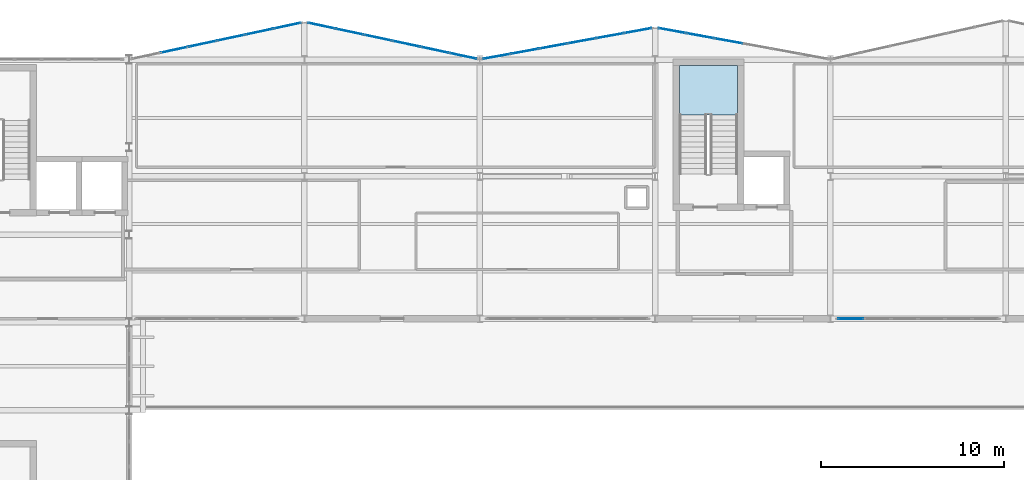
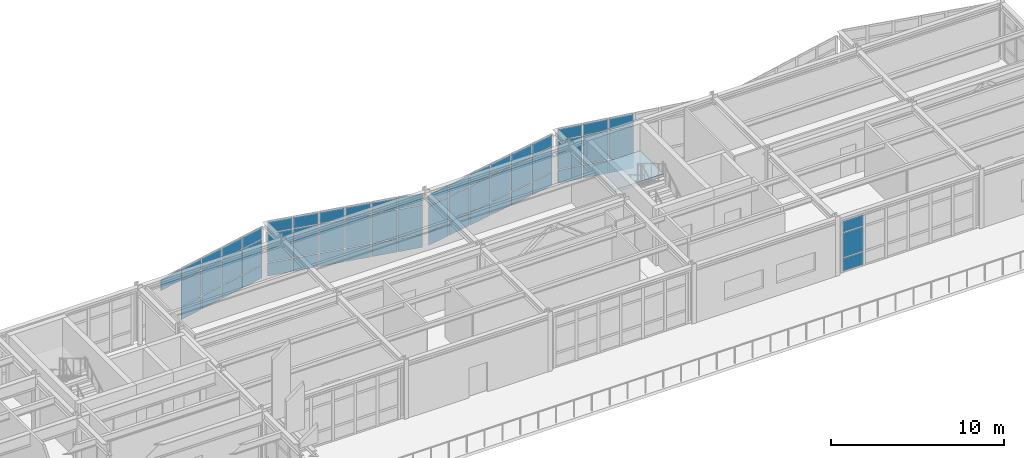
# One storey, part 35 of 47: 61 plates, 1 slab, 6 elements without a shape of their own.
"""IFC4 building model written with IfcOpenShell, lengths in metres."""

import ifcopenshell
import ifcopenshell.guid

model = None  # the IFC model being written
_history = None  # IfcOwnerHistory: only IFC2X3 demands one
_inside = {}  # id of a spatial element -> (the spatial element, [elements in it])
_under = {}  # id of a project, library or spatial element -> (it, [spatial elements below it])
_declared = {}  # id of a project -> (the project, [libraries it declares])
_typed = {}  # id of a type object -> (the type object, [elements of that type])
_made_of = {}  # id of a material, layer set ... -> (it, [elements and type objects made of it])


def new_model(schema):
    """Start an empty IFC model of exactly this schema.

    Asked for "IFC4X3", IfcOpenShell would pick the latest addendum, in which some entities
    have other attributes; the version numbers below select the first issue.
    IFC2X3 requires an IfcOwnerHistory on every rooted entity: one is made here for all.
    """
    global model, _history
    if schema == "IFC4X3":
        model = ifcopenshell.file(schema_version=(4, 3, 0, 0))
    else:
        model = ifcopenshell.file(schema=schema)
    _inside.clear()
    _under.clear()
    _declared.clear()
    _typed.clear()
    _made_of.clear()
    _history = None
    if model.schema == "IFC2X3":
        org = make("IfcOrganization", Name="unknown")
        user = make(
            "IfcPersonAndOrganization",
            ThePerson=make("IfcPerson", FamilyName="unknown"),
            TheOrganization=org,
        )
        app = make(
            "IfcApplication",
            ApplicationDeveloper=org,
            Version="unknown",
            ApplicationFullName="unknown",
            ApplicationIdentifier="unknown",
        )
        _history = make(
            "IfcOwnerHistory",
            OwningUser=user,
            OwningApplication=app,
            ChangeAction="ADDED",
            CreationDate=0,
        )
    return model


def make(cls, **values):
    """One entity of the class cls with the attributes given. An attribute that is None is left unset."""
    return model.create_entity(
        cls, **{name: value for name, value in values.items() if value is not None}
    )


def rooted(cls, **values):
    """An entity with a GlobalId (a new one), such as an element, a storey or a relation."""
    return make(cls, GlobalId=ifcopenshell.guid.new(), OwnerHistory=_history, **values)


def si_unit(unit_type, name, prefix=None):
    """IfcSIUnit, for example si_unit("LENGTHUNIT", "METRE", prefix="MILLI")."""
    return make("IfcSIUnit", UnitType=unit_type, Prefix=prefix, Name=name)


def assignment(units):
    """IfcUnitAssignment: the units of a project."""
    return None if units is None else make("IfcUnitAssignment", Units=units)


def point(xyz):
    """IfcCartesianPoint."""
    return None if xyz is None else make("IfcCartesianPoint", Coordinates=xyz)


def direction(xyz):
    """IfcDirection."""
    return None if xyz is None else make("IfcDirection", DirectionRatios=xyz)


def frame(location, z_axis=None, x_axis=None):
    """IfcAxis2Placement3D, a coordinate frame: its origin and axes. An axis left out is left unset."""
    return make(
        "IfcAxis2Placement3D",
        Location=point(location),
        Axis=direction(z_axis),
        RefDirection=direction(x_axis),
    )


def frame_2d(location, x_axis=None):
    """IfcAxis2Placement2D, a coordinate frame in the plane: its origin and x axis."""
    return make(
        "IfcAxis2Placement2D", Location=point(location), RefDirection=direction(x_axis)
    )


def origin():
    """The frame at (0, 0, 0) with its axes left unset."""
    return frame((0.0, 0.0, 0.0))


def origin_2d():
    """The frame at (0, 0) in the plane with its x axis left unset."""
    return frame_2d((0.0, 0.0))


def place(relative_to, where):
    """IfcLocalPlacement: puts the frame where relative to a parent placement (None: the world)."""
    return make(
        "IfcLocalPlacement", PlacementRelTo=relative_to, RelativePlacement=where
    )


def context(
    kind, dimensions, precision=None, world=None, true_north=None, identifier=None
):
    """IfcGeometricRepresentationContext, for example the 3D "Model" context."""
    return make(
        "IfcGeometricRepresentationContext",
        ContextIdentifier=identifier,
        ContextType=kind,
        CoordinateSpaceDimension=dimensions,
        Precision=precision,
        WorldCoordinateSystem=world,
        TrueNorth=true_north,
    )


def subcontext(parent, identifier, kind, view, scale=None):
    """IfcGeometricRepresentationSubContext, for example "Body" below "Model"."""
    return make(
        "IfcGeometricRepresentationSubContext",
        ContextIdentifier=identifier,
        ContextType=kind,
        ParentContext=parent,
        TargetScale=scale,
        TargetView=view,
    )


def project(units=None, contexts=None):
    """IfcProject with its units and contexts."""
    return rooted(
        "IfcProject",
        Name="project",
        RepresentationContexts=contexts,
        UnitsInContext=assignment(units),
    )


def spatial(cls, under=None, at=None, **own):
    """A site, building, storey or space (cls), placed at a placement, below another one or the project."""
    s = rooted(cls, ObjectPlacement=at, **own)
    if under is not None:
        _under.setdefault(under.id(), (under, []))[1].append(s)
    return s


def polyline(points):
    """IfcPolyline through the points."""
    return make("IfcPolyline", Points=[point(p) for p in points])


def profile(cls, at=None, kind="AREA", **sizes):
    """A parametric profile (cls). Its sizes go by their IFC names, for example OverallWidth=200.0."""
    return make(cls, ProfileType=kind, Position=at, **sizes)


def rectangle(**sizes):
    """IfcRectangleProfileDef."""
    return profile("IfcRectangleProfileDef", **sizes)


def outline(outer, holes=None, kind="AREA"):
    """IfcArbitraryClosedProfileDef: a profile drawn as a closed curve; with holes, ...WithVoids."""
    if holes is None:
        return make("IfcArbitraryClosedProfileDef", ProfileType=kind, OuterCurve=outer)
    return make(
        "IfcArbitraryProfileDefWithVoids",
        ProfileType=kind,
        OuterCurve=outer,
        InnerCurves=holes,
    )


def extrude(swept, where, along, depth):
    """IfcExtrudedAreaSolid: the profile swept, set in the frame where, extruded along a direction by depth."""
    return make(
        "IfcExtrudedAreaSolid",
        SweptArea=swept,
        Position=where,
        ExtrudedDirection=direction(along),
        Depth=depth,
    )


def shape(context_of_items, identifier, shape_type, items):
    """IfcShapeRepresentation: the items that make up one representation, for example the "Body"."""
    return make(
        "IfcShapeRepresentation",
        ContextOfItems=context_of_items,
        RepresentationIdentifier=identifier,
        RepresentationType=shape_type,
        Items=items,
    )


def material(Name=None, Category=None):
    """IfcMaterial."""
    return make("IfcMaterial", Name=Name, Category=Category)


def layer(
    of_material, thickness, ventilated=None, Name=None, Category=None, Priority=None
):
    """IfcMaterialLayer: one layer of a wall or slab, of a material (None: an air gap)."""
    return make(
        "IfcMaterialLayer",
        Material=of_material,
        LayerThickness=thickness,
        IsVentilated=ventilated,
        Name=Name,
        Category=Category,
        Priority=Priority,
    )


def layer_set(layers, Name=None):
    """IfcMaterialLayerSet."""
    return make("IfcMaterialLayerSet", MaterialLayers=layers, LayerSetName=Name)


def made_of(thing, what):
    """Note that an element or type object is made of a material, layer set ...; save() writes the relation."""
    if what is not None:
        _made_of.setdefault(what.id(), (what, []))[1].append(thing)
    return thing


def type_object(cls, material=None, **own):
    """A type object (cls), such as IfcWallType, which elements share."""
    return made_of(rooted(cls, **own), material)


def element(
    cls,
    number,
    at=None,
    inside=None,
    cuts=None,
    type_object=None,
    material=None,
    context=None,
    identifier="Body",
    shape_type=None,
    held_by="IfcProductDefinitionShape",
    body=None,
    shapes=None,
    **own,
):
    """One element of the class cls, such as IfcWall. Its Tag is "e" and its number.

    at: its placement. inside: the storey or other place that contains it. cuts: it is an
    opening in that element (IfcRelVoidsElement). A single representation is given by context,
    identifier, shape_type and body (its items); several are given by shapes. held_by: the class
    of the entity that holds the representations. save() writes the other relations.
    """
    e = rooted(cls, Tag="e%d" % number, ObjectPlacement=at, **own)
    if body is not None:
        shapes = [shape(context, identifier, shape_type, body)]
    if shapes is not None:
        e.Representation = make(held_by, Representations=shapes)
    if inside is not None:
        _inside.setdefault(inside.id(), (inside, []))[1].append(e)
    if cuts is not None:
        rooted(
            "IfcRelVoidsElement", RelatingBuildingElement=cuts, RelatedOpeningElement=e
        )
    if type_object is not None:
        _typed.setdefault(type_object.id(), (type_object, []))[1].append(e)
    return made_of(e, material)


def aggregate(whole, parts):
    """IfcRelAggregates: a whole, such as a stair, and the parts it consists of."""
    return rooted("IfcRelAggregates", RelatingObject=whole, RelatedObjects=parts)


def save(model, path):
    """Write the relations noted so far, then the file.

    IfcRelAggregates (storeys below a building ...), IfcRelContainedInSpatialStructure (elements
    in a storey), IfcRelDefinesByType, IfcRelAssociatesMaterial and IfcRelDeclares: one each for
    every whole, place, type object, material and project.
    """
    for whole, parts in _under.values():
        aggregate(whole, parts)
    for where, things in _inside.values():
        rooted(
            "IfcRelContainedInSpatialStructure",
            RelatedElements=things,
            RelatingStructure=where,
        )
    for kind, things in _typed.values():
        rooted("IfcRelDefinesByType", RelatedObjects=things, RelatingType=kind)
    for what, things in _made_of.values():
        rooted("IfcRelAssociatesMaterial", RelatedObjects=things, RelatingMaterial=what)
    for by, libraries in _declared.values():
        rooted("IfcRelDeclares", RelatingContext=by, RelatedDefinitions=libraries)
    model.write(path)


model = new_model("IFC4")

# Units and contexts
model_context = context("Model", 3, precision=1e-05, world=origin(), true_north=direction((0.0, 1.0)))
body_context = subcontext(model_context, "Body", "Model", "MODEL_VIEW")
ifc_project = project(units=[si_unit("LENGTHUNIT", "METRE"), si_unit("AREAUNIT", "SQUARE_METRE"), si_unit("VOLUMEUNIT", "CUBIC_METRE"), si_unit("PLANEANGLEUNIT", "RADIAN"), si_unit("MASSUNIT", "GRAM", prefix="KILO")], contexts=[model_context])

# Site, building, storey
site_placement = place(None, origin())
site = spatial("IfcSite", under=ifc_project, at=site_placement, CompositionType="ELEMENT")
building_placement = place(site_placement, origin())
building = spatial("IfcBuilding", under=site, at=building_placement, Name="Nordkorset Police Headquarters", CompositionType="ELEMENT")
storey_placement = place(building_placement, frame((0.0, 0.0, 22.050048828125)))
storey = spatial("IfcBuildingStorey", under=building, at=storey_placement, Name="L05", CompositionType="ELEMENT", Elevation=22.050048828125)

# Curtain wall, plates
ifc_material_1 = material(Name="Aluminium alloy AW-6060", Category="aluminium")
ifc_layer_1 = layer(ifc_material_1, 0.179931640625, Name="Aluminium alloy AW-6060")
ifc_layer_set_1 = layer_set([ifc_layer_1], Name="Aluminium alloy AW-6060")
curtain_wall_type_1 = type_object("IfcCurtainWallType", Name="CW_Unit_954x367", PredefinedType="USERDEFINED", material=ifc_layer_set_1)
curtain_wall_1_placement = place(storey_placement, origin())
curtain_wall_1 = element("IfcCurtainWall", 1, at=curtain_wall_1_placement, inside=storey, type_object=curtain_wall_type_1, Name="Unitised Curtain Wall L05 V2N-0", ObjectType="UNITISED CURTAIN WALL", PredefinedType="USERDEFINED")
ifc_material_2 = material(Name="Low-iron triple glazing", Category="glass")
ifc_layer_2 = layer(ifc_material_2, 0.035888671875, Name="Low-iron triple glazing")
ifc_layer_set_2 = layer_set([ifc_layer_2], Name="Low-iron triple glazing")
plate_type = type_object("IfcPlateType", Name="CW_Panel_TripleGlazing_36", PredefinedType="CURTAIN_PANEL", material=ifc_layer_set_2)
plate_1_placement = place(storey_placement, frame((31.2685546875, 117.3271484375, 2.8525390625), z_axis=(0.0, 0.0, 1.0), x_axis=(0.977951416289, 0.208832534289, 0.0)))
plate_1 = element("IfcPlate", 2, at=plate_1_placement, type_object=plate_type, Name="CW-71 panel 2.3", PredefinedType="CURTAIN_PANEL", context=body_context, shape_type="SweptSolid", body=[
    extrude(rectangle(XDim=1.5244140625, YDim=0.035888671875, at=origin_2d()), origin(), (0.0, 0.0, 1.0), 0.75244140625),
])
plate_2_placement = place(storey_placement, frame((32.82275390625, 117.658935546875, 0.06494140625), z_axis=(0.0, 0.0, 1.0), x_axis=(0.977951416289, 0.208832534289, 0.0)))
plate_2 = element("IfcPlate", 3, at=plate_2_placement, type_object=plate_type, Name="CW-71 panel 3.1", PredefinedType="CURTAIN_PANEL", context=body_context, shape_type="SweptSolid", body=[
    extrude(rectangle(XDim=1.5244140625, YDim=0.035888671875, at=origin_2d()), origin(), (0.0, 0.0, 1.0), 0.902587890625),
])
plate_3_placement = place(storey_placement, frame((32.82275390625, 117.658935546875, 1.032470703125), z_axis=(0.0, 0.0, 1.0), x_axis=(0.977951416289, 0.208832534289, 0.0)))
plate_3 = element("IfcPlate", 4, at=plate_3_placement, type_object=plate_type, Name="CW-71 panel 3.2", PredefinedType="CURTAIN_PANEL", context=body_context, shape_type="SweptSolid", body=[
    extrude(rectangle(XDim=1.5244140625, YDim=0.035888671875, at=origin_2d()), origin(), (0.0, 0.0, 1.0), 1.7548828125),
])
plate_4_placement = place(storey_placement, frame((32.82275390625, 117.658935546875, 2.8525390625), z_axis=(0.0, 0.0, 1.0), x_axis=(0.977951416289, 0.208832534289, 0.0)))
plate_4 = element("IfcPlate", 5, at=plate_4_placement, type_object=plate_type, Name="CW-71 panel 3.3", PredefinedType="CURTAIN_PANEL", context=body_context, shape_type="SweptSolid", body=[
    extrude(rectangle(XDim=1.5244140625, YDim=0.035888671875, at=origin_2d()), origin(), (0.0, 0.0, 1.0), 0.75244140625),
])
plate_5_placement = place(storey_placement, frame((34.377197265625, 117.990966796875, 0.06494140625), z_axis=(0.0, 0.0, 1.0), x_axis=(0.977951416289, 0.208832534289, 0.0)))
plate_5 = element("IfcPlate", 6, at=plate_5_placement, type_object=plate_type, Name="CW-71 panel 4.1", PredefinedType="CURTAIN_PANEL", context=body_context, shape_type="SweptSolid", body=[
    extrude(rectangle(XDim=1.5244140625, YDim=0.035888671875, at=origin_2d()), origin(), (0.0, 0.0, 1.0), 0.902587890625),
])
plate_6_placement = place(storey_placement, frame((34.377197265625, 117.990966796875, 1.032470703125), z_axis=(0.0, 0.0, 1.0), x_axis=(0.977951416289, 0.208832534289, 0.0)))
plate_6 = element("IfcPlate", 7, at=plate_6_placement, type_object=plate_type, Name="CW-71 panel 4.2", PredefinedType="CURTAIN_PANEL", context=body_context, shape_type="SweptSolid", body=[
    extrude(rectangle(XDim=1.5244140625, YDim=0.035888671875, at=origin_2d()), origin(), (0.0, 0.0, 1.0), 1.7548828125),
])
plate_7_placement = place(storey_placement, frame((34.377197265625, 117.990966796875, 2.8525390625), z_axis=(0.0, 0.0, 1.0), x_axis=(0.977951416289, 0.208832534289, 0.0)))
plate_7 = element("IfcPlate", 8, at=plate_7_placement, type_object=plate_type, Name="CW-71 panel 4.3", PredefinedType="CURTAIN_PANEL", context=body_context, shape_type="SweptSolid", body=[
    extrude(rectangle(XDim=1.5244140625, YDim=0.035888671875, at=origin_2d()), origin(), (0.0, 0.0, 1.0), 0.75244140625),
])
plate_8_placement = place(storey_placement, frame((35.931640625, 118.322998046875, 0.06494140625), z_axis=(0.0, 0.0, 1.0), x_axis=(0.977951416289, 0.208832534289, 0.0)))
plate_8 = element("IfcPlate", 9, at=plate_8_placement, type_object=plate_type, Name="CW-71 panel 5.1", PredefinedType="CURTAIN_PANEL", context=body_context, shape_type="SweptSolid", body=[
    extrude(rectangle(XDim=1.5244140625, YDim=0.035888671875, at=origin_2d()), origin(), (0.0, 0.0, 1.0), 0.902587890625),
])
plate_9_placement = place(storey_placement, frame((35.931640625, 118.322998046875, 1.032470703125), z_axis=(0.0, 0.0, 1.0), x_axis=(0.977951416289, 0.208832534289, 0.0)))
plate_9 = element("IfcPlate", 10, at=plate_9_placement, type_object=plate_type, Name="CW-71 panel 5.2", PredefinedType="CURTAIN_PANEL", context=body_context, shape_type="SweptSolid", body=[
    extrude(rectangle(XDim=1.5244140625, YDim=0.035888671875, at=origin_2d()), origin(), (0.0, 0.0, 1.0), 1.7548828125),
])
plate_10_placement = place(storey_placement, frame((35.931640625, 118.322998046875, 2.8525390625), z_axis=(0.0, 0.0, 1.0), x_axis=(0.977951416289, 0.208832534289, 0.0)))
plate_10 = element("IfcPlate", 11, at=plate_10_placement, type_object=plate_type, Name="CW-71 panel 5.3", PredefinedType="CURTAIN_PANEL", context=body_context, shape_type="SweptSolid", body=[
    extrude(rectangle(XDim=1.5244140625, YDim=0.035888671875, at=origin_2d()), origin(), (0.0, 0.0, 1.0), 0.75244140625),
])
plate_11_placement = place(storey_placement, frame((37.469970703125, 118.6513671875, 0.06494140625), z_axis=(0.0, 0.0, 1.0), x_axis=(0.977951416289, 0.208832534289, 0.0)))
plate_11 = element("IfcPlate", 12, at=plate_11_placement, type_object=plate_type, Name="CW-71 panel 6.1", PredefinedType="CURTAIN_PANEL", context=body_context, shape_type="SweptSolid", body=[
    extrude(rectangle(XDim=1.491943359375, YDim=0.035888671875, at=origin_2d()), origin(), (0.0, 0.0, 1.0), 0.902587890625),
])
plate_12_placement = place(storey_placement, frame((37.469970703125, 118.6513671875, 1.032470703125), z_axis=(0.0, 0.0, 1.0), x_axis=(0.977951416289, 0.208832534289, 0.0)))
plate_12 = element("IfcPlate", 13, at=plate_12_placement, type_object=plate_type, Name="CW-71 panel 6.2", PredefinedType="CURTAIN_PANEL", context=body_context, shape_type="SweptSolid", body=[
    extrude(rectangle(XDim=1.491943359375, YDim=0.035888671875, at=origin_2d()), origin(), (0.0, 0.0, 1.0), 1.7548828125),
])
plate_13_placement = place(storey_placement, frame((37.469970703125, 118.6513671875, 2.8525390625), z_axis=(0.0, 0.0, 1.0), x_axis=(0.977951416289, 0.208832534289, 0.0)))
plate_13 = element("IfcPlate", 14, at=plate_13_placement, type_object=plate_type, Name="CW-71 panel 6.3", PredefinedType="CURTAIN_PANEL", context=body_context, shape_type="SweptSolid", body=[
    extrude(rectangle(XDim=1.491943359375, YDim=0.035888671875, at=origin_2d()), origin(), (0.0, 0.0, 1.0), 0.75244140625),
])
aggregate(curtain_wall_1, [plate_1, plate_2, plate_3, plate_4, plate_5, plate_6, plate_7, plate_8, plate_9, plate_10, plate_11, plate_12, plate_13])

ifc_material_3 = material(Name="Aluminium alloy AW-6060", Category="aluminium")
ifc_layer_3 = layer(ifc_material_3, 0.179931640625, Name="Aluminium alloy AW-6060")
ifc_layer_set_3 = layer_set([ifc_layer_3], Name="Aluminium alloy AW-6060")
curtain_wall_type_2 = type_object("IfcCurtainWallType", Name="CW_Unit_954x392", PredefinedType="USERDEFINED", material=ifc_layer_set_3)
curtain_wall_2_placement = place(storey_placement, origin())
curtain_wall_2 = element("IfcCurtainWall", 15, at=curtain_wall_2_placement, inside=storey, type_object=curtain_wall_type_2, Name="Unitised Curtain Wall L05 V2N-1", ObjectType="UNITISED CURTAIN WALL", PredefinedType="USERDEFINED")
plate_14_placement = place(storey_placement, frame((39.330078125, 118.6513671875, 0.06494140625), z_axis=(0.0, 0.0, 1.0), x_axis=(0.977951416289, -0.208832534289, 0.0)))
plate_14 = element("IfcPlate", 16, at=plate_14_placement, type_object=plate_type, Name="CW-20 panel 1.1", PredefinedType="CURTAIN_PANEL", context=body_context, shape_type="SweptSolid", body=[
    extrude(rectangle(XDim=1.491943359375, YDim=0.035888671875, at=origin_2d()), origin(), (0.0, 0.0, 1.0), 0.902587890625),
])
plate_15_placement = place(storey_placement, frame((39.330078125, 118.6513671875, 1.032470703125), z_axis=(0.0, 0.0, 1.0), x_axis=(0.977951416289, -0.208832534289, 0.0)))
plate_15 = element("IfcPlate", 17, at=plate_15_placement, type_object=plate_type, Name="CW-20 panel 1.2", PredefinedType="CURTAIN_PANEL", context=body_context, shape_type="SweptSolid", body=[
    extrude(rectangle(XDim=1.491943359375, YDim=0.035888671875, at=origin_2d()), origin(), (0.0, 0.0, 1.0), 2.0048828125),
])
plate_16_placement = place(storey_placement, frame((39.330078125, 118.6513671875, 3.1025390625), z_axis=(0.0, 0.0, 1.0), x_axis=(0.977951416289, -0.208832534289, 0.0)))
plate_16 = element("IfcPlate", 18, at=plate_16_placement, type_object=plate_type, Name="CW-20 panel 1.3", PredefinedType="CURTAIN_PANEL", context=body_context, shape_type="SweptSolid", body=[
    extrude(rectangle(XDim=1.491943359375, YDim=0.035888671875, at=origin_2d()), origin(), (0.0, 0.0, 1.0), 0.75244140625),
])
plate_17_placement = place(storey_placement, frame((40.868408203125, 118.322998046875, 0.06494140625), z_axis=(0.0, 0.0, 1.0), x_axis=(0.977951416289, -0.208832534289, 0.0)))
plate_17 = element("IfcPlate", 19, at=plate_17_placement, type_object=plate_type, Name="CW-20 panel 2.1", PredefinedType="CURTAIN_PANEL", context=body_context, shape_type="SweptSolid", body=[
    extrude(rectangle(XDim=1.5244140625, YDim=0.035888671875, at=origin_2d()), origin(), (0.0, 0.0, 1.0), 0.902587890625),
])
plate_18_placement = place(storey_placement, frame((40.868408203125, 118.322998046875, 1.032470703125), z_axis=(0.0, 0.0, 1.0), x_axis=(0.977951416289, -0.208832534289, 0.0)))
plate_18 = element("IfcPlate", 20, at=plate_18_placement, type_object=plate_type, Name="CW-20 panel 2.2", PredefinedType="CURTAIN_PANEL", context=body_context, shape_type="SweptSolid", body=[
    extrude(rectangle(XDim=1.5244140625, YDim=0.035888671875, at=origin_2d()), origin(), (0.0, 0.0, 1.0), 2.0048828125),
])
plate_19_placement = place(storey_placement, frame((40.868408203125, 118.322998046875, 3.1025390625), z_axis=(0.0, 0.0, 1.0), x_axis=(0.977951416289, -0.208832534289, 0.0)))
plate_19 = element("IfcPlate", 21, at=plate_19_placement, type_object=plate_type, Name="CW-20 panel 2.3", PredefinedType="CURTAIN_PANEL", context=body_context, shape_type="SweptSolid", body=[
    extrude(rectangle(XDim=1.5244140625, YDim=0.035888671875, at=origin_2d()), origin(), (0.0, 0.0, 1.0), 0.75244140625),
])
plate_20_placement = place(storey_placement, frame((42.4228515625, 117.990966796875, 0.06494140625), z_axis=(0.0, 0.0, 1.0), x_axis=(0.977951416289, -0.208832534289, 0.0)))
plate_20 = element("IfcPlate", 22, at=plate_20_placement, type_object=plate_type, Name="CW-20 panel 3.1", PredefinedType="CURTAIN_PANEL", context=body_context, shape_type="SweptSolid", body=[
    extrude(rectangle(XDim=1.5244140625, YDim=0.035888671875, at=origin_2d()), origin(), (0.0, 0.0, 1.0), 0.902587890625),
])
plate_21_placement = place(storey_placement, frame((42.4228515625, 117.990966796875, 1.032470703125), z_axis=(0.0, 0.0, 1.0), x_axis=(0.977951416289, -0.208832534289, 0.0)))
plate_21 = element("IfcPlate", 23, at=plate_21_placement, type_object=plate_type, Name="CW-20 panel 3.2", PredefinedType="CURTAIN_PANEL", context=body_context, shape_type="SweptSolid", body=[
    extrude(rectangle(XDim=1.5244140625, YDim=0.035888671875, at=origin_2d()), origin(), (0.0, 0.0, 1.0), 2.0048828125),
])
plate_22_placement = place(storey_placement, frame((42.4228515625, 117.990966796875, 3.1025390625), z_axis=(0.0, 0.0, 1.0), x_axis=(0.977951416289, -0.208832534289, 0.0)))
plate_22 = element("IfcPlate", 24, at=plate_22_placement, type_object=plate_type, Name="CW-20 panel 3.3", PredefinedType="CURTAIN_PANEL", context=body_context, shape_type="SweptSolid", body=[
    extrude(rectangle(XDim=1.5244140625, YDim=0.035888671875, at=origin_2d()), origin(), (0.0, 0.0, 1.0), 0.75244140625),
])
plate_23_placement = place(storey_placement, frame((43.977294921875, 117.658935546875, 0.06494140625), z_axis=(0.0, 0.0, 1.0), x_axis=(0.977951416289, -0.208832534289, 0.0)))
plate_23 = element("IfcPlate", 25, at=plate_23_placement, type_object=plate_type, Name="CW-20 panel 4.1", PredefinedType="CURTAIN_PANEL", context=body_context, shape_type="SweptSolid", body=[
    extrude(rectangle(XDim=1.5244140625, YDim=0.035888671875, at=origin_2d()), origin(), (0.0, 0.0, 1.0), 0.902587890625),
])
plate_24_placement = place(storey_placement, frame((43.977294921875, 117.658935546875, 1.032470703125), z_axis=(0.0, 0.0, 1.0), x_axis=(0.977951416289, -0.208832534289, 0.0)))
plate_24 = element("IfcPlate", 26, at=plate_24_placement, type_object=plate_type, Name="CW-20 panel 4.2", PredefinedType="CURTAIN_PANEL", context=body_context, shape_type="SweptSolid", body=[
    extrude(rectangle(XDim=1.5244140625, YDim=0.035888671875, at=origin_2d()), origin(), (0.0, 0.0, 1.0), 2.0048828125),
])
plate_25_placement = place(storey_placement, frame((43.977294921875, 117.658935546875, 3.1025390625), z_axis=(0.0, 0.0, 1.0), x_axis=(0.977951416289, -0.208832534289, 0.0)))
plate_25 = element("IfcPlate", 27, at=plate_25_placement, type_object=plate_type, Name="CW-20 panel 4.3", PredefinedType="CURTAIN_PANEL", context=body_context, shape_type="SweptSolid", body=[
    extrude(rectangle(XDim=1.5244140625, YDim=0.035888671875, at=origin_2d()), origin(), (0.0, 0.0, 1.0), 0.75244140625),
])
plate_26_placement = place(storey_placement, frame((45.531494140625, 117.3271484375, 0.06494140625), z_axis=(0.0, 0.0, 1.0), x_axis=(0.977951416289, -0.208832534289, 0.0)))
plate_26 = element("IfcPlate", 28, at=plate_26_placement, type_object=plate_type, Name="CW-20 panel 5.1", PredefinedType="CURTAIN_PANEL", context=body_context, shape_type="SweptSolid", body=[
    extrude(rectangle(XDim=1.5244140625, YDim=0.035888671875, at=origin_2d()), origin(), (0.0, 0.0, 1.0), 0.902587890625),
])
plate_27_placement = place(storey_placement, frame((45.531494140625, 117.3271484375, 1.032470703125), z_axis=(0.0, 0.0, 1.0), x_axis=(0.977951416289, -0.208832534289, 0.0)))
plate_27 = element("IfcPlate", 29, at=plate_27_placement, type_object=plate_type, Name="CW-20 panel 5.2", PredefinedType="CURTAIN_PANEL", context=body_context, shape_type="SweptSolid", body=[
    extrude(rectangle(XDim=1.5244140625, YDim=0.035888671875, at=origin_2d()), origin(), (0.0, 0.0, 1.0), 2.0048828125),
])
plate_28_placement = place(storey_placement, frame((45.531494140625, 117.3271484375, 3.1025390625), z_axis=(0.0, 0.0, 1.0), x_axis=(0.977951416289, -0.208832534289, 0.0)))
plate_28 = element("IfcPlate", 30, at=plate_28_placement, type_object=plate_type, Name="CW-20 panel 5.3", PredefinedType="CURTAIN_PANEL", context=body_context, shape_type="SweptSolid", body=[
    extrude(rectangle(XDim=1.5244140625, YDim=0.035888671875, at=origin_2d()), origin(), (0.0, 0.0, 1.0), 0.75244140625),
])
plate_29_placement = place(storey_placement, frame((47.070068359375, 116.99853515625, 0.06494140625), z_axis=(0.0, 0.0, 1.0), x_axis=(0.977951416289, -0.208832534289, 0.0)))
plate_29 = element("IfcPlate", 31, at=plate_29_placement, type_object=plate_type, Name="CW-20 panel 6.1", PredefinedType="CURTAIN_PANEL", context=body_context, shape_type="SweptSolid", body=[
    extrude(rectangle(XDim=1.491943359375, YDim=0.035888671875, at=origin_2d()), origin(), (0.0, 0.0, 1.0), 0.902587890625),
])
plate_30_placement = place(storey_placement, frame((47.070068359375, 116.99853515625, 1.032470703125), z_axis=(0.0, 0.0, 1.0), x_axis=(0.977951416289, -0.208832534289, 0.0)))
plate_30 = element("IfcPlate", 32, at=plate_30_placement, type_object=plate_type, Name="CW-20 panel 6.2", PredefinedType="CURTAIN_PANEL", context=body_context, shape_type="SweptSolid", body=[
    extrude(rectangle(XDim=1.491943359375, YDim=0.035888671875, at=origin_2d()), origin(), (0.0, 0.0, 1.0), 2.0048828125),
])
plate_31_placement = place(storey_placement, frame((47.070068359375, 116.99853515625, 3.1025390625), z_axis=(0.0, 0.0, 1.0), x_axis=(0.977951416289, -0.208832534289, 0.0)))
plate_31 = element("IfcPlate", 33, at=plate_31_placement, type_object=plate_type, Name="CW-20 panel 6.3", PredefinedType="CURTAIN_PANEL", context=body_context, shape_type="SweptSolid", body=[
    extrude(rectangle(XDim=1.491943359375, YDim=0.035888671875, at=origin_2d()), origin(), (0.0, 0.0, 1.0), 0.75244140625),
])
aggregate(curtain_wall_2, [plate_14, plate_15, plate_16, plate_17, plate_18, plate_19, plate_20, plate_21, plate_22, plate_23, plate_24, plate_25, plate_26, plate_27, plate_28, plate_29, plate_30, plate_31])

ifc_material_4 = material(Name="Aluminium alloy AW-6060", Category="aluminium")
ifc_layer_4 = layer(ifc_material_4, 0.179931640625, Name="Aluminium alloy AW-6060")
ifc_layer_set_4 = layer_set([ifc_layer_4], Name="Aluminium alloy AW-6060")
curtain_wall_type_3 = type_object("IfcCurtainWallType", Name="CW_Unit_948x367", PredefinedType="USERDEFINED", material=ifc_layer_set_4)
curtain_wall_3_placement = place(storey_placement, origin())
curtain_wall_3 = element("IfcCurtainWall", 34, at=curtain_wall_3_placement, inside=storey, type_object=curtain_wall_type_3, Name="Unitised Curtain Wall L05 V2N-2", ObjectType="UNITISED CURTAIN WALL", PredefinedType="USERDEFINED")
plate_32_placement = place(storey_placement, frame((48.9306640625, 116.9697265625, 0.06494140625), z_axis=(0.0, 0.0, 1.0), x_axis=(0.983787934979, 0.179335715876, 0.0)))
plate_32 = element("IfcPlate", 35, at=plate_32_placement, type_object=plate_type, Name="CW-02 panel 1.1", PredefinedType="CURTAIN_PANEL", context=body_context, shape_type="SweptSolid", body=[
    extrude(rectangle(XDim=1.482177734375, YDim=0.035888671875, at=origin_2d()), origin(), (0.0, 0.0, 1.0), 0.902587890625),
])
plate_33_placement = place(storey_placement, frame((48.9306640625, 116.9697265625, 1.032470703125), z_axis=(0.0, 0.0, 1.0), x_axis=(0.983787934979, 0.179335715876, 0.0)))
plate_33 = element("IfcPlate", 36, at=plate_33_placement, type_object=plate_type, Name="CW-02 panel 1.2", PredefinedType="CURTAIN_PANEL", context=body_context, shape_type="SweptSolid", body=[
    extrude(rectangle(XDim=1.482177734375, YDim=0.035888671875, at=origin_2d()), origin(), (0.0, 0.0, 1.0), 1.7548828125),
])
plate_34_placement = place(storey_placement, frame((48.9306640625, 116.9697265625, 2.8525390625), z_axis=(0.0, 0.0, 1.0), x_axis=(0.983787934979, 0.179335715876, 0.0)))
plate_34 = element("IfcPlate", 37, at=plate_34_placement, type_object=plate_type, Name="CW-02 panel 1.3", PredefinedType="CURTAIN_PANEL", context=body_context, shape_type="SweptSolid", body=[
    extrude(rectangle(XDim=1.482177734375, YDim=0.035888671875, at=origin_2d()), origin(), (0.0, 0.0, 1.0), 0.75244140625),
])
plate_35_placement = place(storey_placement, frame((50.46875, 117.25, 0.06494140625), z_axis=(0.0, 0.0, 1.0), x_axis=(0.983787934979, 0.179335715876, 0.0)))
plate_35 = element("IfcPlate", 38, at=plate_35_placement, type_object=plate_type, Name="CW-02 panel 2.1", PredefinedType="CURTAIN_PANEL", context=body_context, shape_type="SweptSolid", body=[
    extrude(rectangle(XDim=1.5146484375, YDim=0.035888671875, at=origin_2d()), origin(), (0.0, 0.0, 1.0), 0.902587890625),
])
plate_36_placement = place(storey_placement, frame((50.46875, 117.25, 1.032470703125), z_axis=(0.0, 0.0, 1.0), x_axis=(0.983787934979, 0.179335715876, 0.0)))
plate_36 = element("IfcPlate", 39, at=plate_36_placement, type_object=plate_type, Name="CW-02 panel 2.2", PredefinedType="CURTAIN_PANEL", context=body_context, shape_type="SweptSolid", body=[
    extrude(rectangle(XDim=1.5146484375, YDim=0.035888671875, at=origin_2d()), origin(), (0.0, 0.0, 1.0), 1.7548828125),
])
plate_37_placement = place(storey_placement, frame((50.46875, 117.25, 2.8525390625), z_axis=(0.0, 0.0, 1.0), x_axis=(0.983787934979, 0.179335715876, 0.0)))
plate_37 = element("IfcPlate", 40, at=plate_37_placement, type_object=plate_type, Name="CW-02 panel 2.3", PredefinedType="CURTAIN_PANEL", context=body_context, shape_type="SweptSolid", body=[
    extrude(rectangle(XDim=1.5146484375, YDim=0.035888671875, at=origin_2d()), origin(), (0.0, 0.0, 1.0), 0.75244140625),
])
plate_38_placement = place(storey_placement, frame((52.02294921875, 117.533447265625, 0.06494140625), z_axis=(0.0, 0.0, 1.0), x_axis=(0.983787934979, 0.179335715876, 0.0)))
plate_38 = element("IfcPlate", 41, at=plate_38_placement, type_object=plate_type, Name="CW-02 panel 3.1", PredefinedType="CURTAIN_PANEL", context=body_context, shape_type="SweptSolid", body=[
    extrude(rectangle(XDim=1.5146484375, YDim=0.035888671875, at=origin_2d()), origin(), (0.0, 0.0, 1.0), 0.902587890625),
])
plate_39_placement = place(storey_placement, frame((52.02294921875, 117.533447265625, 1.032470703125), z_axis=(0.0, 0.0, 1.0), x_axis=(0.983787934979, 0.179335715876, 0.0)))
plate_39 = element("IfcPlate", 42, at=plate_39_placement, type_object=plate_type, Name="CW-02 panel 3.2", PredefinedType="CURTAIN_PANEL", context=body_context, shape_type="SweptSolid", body=[
    extrude(rectangle(XDim=1.5146484375, YDim=0.035888671875, at=origin_2d()), origin(), (0.0, 0.0, 1.0), 1.7548828125),
])
plate_40_placement = place(storey_placement, frame((52.02294921875, 117.533447265625, 2.8525390625), z_axis=(0.0, 0.0, 1.0), x_axis=(0.983787934979, 0.179335715876, 0.0)))
plate_40 = element("IfcPlate", 43, at=plate_40_placement, type_object=plate_type, Name="CW-02 panel 3.3", PredefinedType="CURTAIN_PANEL", context=body_context, shape_type="SweptSolid", body=[
    extrude(rectangle(XDim=1.5146484375, YDim=0.035888671875, at=origin_2d()), origin(), (0.0, 0.0, 1.0), 0.75244140625),
])
plate_41_placement = place(storey_placement, frame((53.5771484375, 117.816650390625, 0.06494140625), z_axis=(0.0, 0.0, 1.0), x_axis=(0.983787934979, 0.179335715876, 0.0)))
plate_41 = element("IfcPlate", 44, at=plate_41_placement, type_object=plate_type, Name="CW-02 panel 4.1", PredefinedType="CURTAIN_PANEL", context=body_context, shape_type="SweptSolid", body=[
    extrude(rectangle(XDim=1.5146484375, YDim=0.035888671875, at=origin_2d()), origin(), (0.0, 0.0, 1.0), 0.902587890625),
])
plate_42_placement = place(storey_placement, frame((53.5771484375, 117.816650390625, 1.032470703125), z_axis=(0.0, 0.0, 1.0), x_axis=(0.983787934979, 0.179335715876, 0.0)))
plate_42 = element("IfcPlate", 45, at=plate_42_placement, type_object=plate_type, Name="CW-02 panel 4.2", PredefinedType="CURTAIN_PANEL", context=body_context, shape_type="SweptSolid", body=[
    extrude(rectangle(XDim=1.5146484375, YDim=0.035888671875, at=origin_2d()), origin(), (0.0, 0.0, 1.0), 1.7548828125),
])
plate_43_placement = place(storey_placement, frame((53.5771484375, 117.816650390625, 2.8525390625), z_axis=(0.0, 0.0, 1.0), x_axis=(0.983787934979, 0.179335715876, 0.0)))
plate_43 = element("IfcPlate", 46, at=plate_43_placement, type_object=plate_type, Name="CW-02 panel 4.3", PredefinedType="CURTAIN_PANEL", context=body_context, shape_type="SweptSolid", body=[
    extrude(rectangle(XDim=1.5146484375, YDim=0.035888671875, at=origin_2d()), origin(), (0.0, 0.0, 1.0), 0.75244140625),
])
plate_44_placement = place(storey_placement, frame((55.131103515625, 118.099853515625, 0.06494140625), z_axis=(0.0, 0.0, 1.0), x_axis=(0.983787934979, 0.179335715876, 0.0)))
plate_44 = element("IfcPlate", 47, at=plate_44_placement, type_object=plate_type, Name="CW-02 panel 5.1", PredefinedType="CURTAIN_PANEL", context=body_context, shape_type="SweptSolid", body=[
    extrude(rectangle(XDim=1.5146484375, YDim=0.035888671875, at=origin_2d()), origin(), (0.0, 0.0, 1.0), 0.902587890625),
])
plate_45_placement = place(storey_placement, frame((55.131103515625, 118.099853515625, 1.032470703125), z_axis=(0.0, 0.0, 1.0), x_axis=(0.983787934979, 0.179335715876, 0.0)))
plate_45 = element("IfcPlate", 48, at=plate_45_placement, type_object=plate_type, Name="CW-02 panel 5.2", PredefinedType="CURTAIN_PANEL", context=body_context, shape_type="SweptSolid", body=[
    extrude(rectangle(XDim=1.5146484375, YDim=0.035888671875, at=origin_2d()), origin(), (0.0, 0.0, 1.0), 1.7548828125),
])
plate_46_placement = place(storey_placement, frame((55.131103515625, 118.099853515625, 2.8525390625), z_axis=(0.0, 0.0, 1.0), x_axis=(0.983787934979, 0.179335715876, 0.0)))
plate_46 = element("IfcPlate", 49, at=plate_46_placement, type_object=plate_type, Name="CW-02 panel 5.3", PredefinedType="CURTAIN_PANEL", context=body_context, shape_type="SweptSolid", body=[
    extrude(rectangle(XDim=1.5146484375, YDim=0.035888671875, at=origin_2d()), origin(), (0.0, 0.0, 1.0), 0.75244140625),
])
plate_47_placement = place(storey_placement, frame((56.669189453125, 118.38037109375, 0.06494140625), z_axis=(0.0, 0.0, 1.0), x_axis=(0.983787934979, 0.179335715876, 0.0)))
plate_47 = element("IfcPlate", 50, at=plate_47_placement, type_object=plate_type, Name="CW-02 panel 6.1", PredefinedType="CURTAIN_PANEL", context=body_context, shape_type="SweptSolid", body=[
    extrude(rectangle(XDim=1.482177734375, YDim=0.035888671875, at=origin_2d()), origin(), (0.0, 0.0, 1.0), 0.902587890625),
])
plate_48_placement = place(storey_placement, frame((56.669189453125, 118.38037109375, 1.032470703125), z_axis=(0.0, 0.0, 1.0), x_axis=(0.983787934979, 0.179335715876, 0.0)))
plate_48 = element("IfcPlate", 51, at=plate_48_placement, type_object=plate_type, Name="CW-02 panel 6.2", PredefinedType="CURTAIN_PANEL", context=body_context, shape_type="SweptSolid", body=[
    extrude(rectangle(XDim=1.482177734375, YDim=0.035888671875, at=origin_2d()), origin(), (0.0, 0.0, 1.0), 1.7548828125),
])
plate_49_placement = place(storey_placement, frame((56.669189453125, 118.38037109375, 2.8525390625), z_axis=(0.0, 0.0, 1.0), x_axis=(0.983787934979, 0.179335715876, 0.0)))
plate_49 = element("IfcPlate", 52, at=plate_49_placement, type_object=plate_type, Name="CW-02 panel 6.3", PredefinedType="CURTAIN_PANEL", context=body_context, shape_type="SweptSolid", body=[
    extrude(rectangle(XDim=1.482177734375, YDim=0.035888671875, at=origin_2d()), origin(), (0.0, 0.0, 1.0), 0.75244140625),
])
aggregate(curtain_wall_3, [plate_32, plate_33, plate_34, plate_35, plate_36, plate_37, plate_38, plate_39, plate_40, plate_41, plate_42, plate_43, plate_44, plate_45, plate_46, plate_47, plate_48, plate_49])

ifc_material_5 = material(Name="Aluminium alloy AW-6060", Category="aluminium")
ifc_layer_5 = layer(ifc_material_5, 0.179931640625, Name="Aluminium alloy AW-6060")
ifc_layer_set_5 = layer_set([ifc_layer_5], Name="Aluminium alloy AW-6060")
curtain_wall_type_4 = type_object("IfcCurtainWallType", Name="CW_Unit_948x392", PredefinedType="USERDEFINED", material=ifc_layer_set_5)
curtain_wall_4_placement = place(storey_placement, origin())
curtain_wall_4 = element("IfcCurtainWall", 53, at=curtain_wall_4_placement, inside=storey, type_object=curtain_wall_type_4, Name="Unitised Curtain Wall L05 V2N-3", ObjectType="UNITISED CURTAIN WALL", PredefinedType="USERDEFINED")
plate_50_placement = place(storey_placement, frame((58.53076171875, 118.38037109375, 0.06494140625), z_axis=(0.0, 0.0, 1.0), x_axis=(0.983787934979, -0.179335715876, 0.0)))
plate_50 = element("IfcPlate", 54, at=plate_50_placement, type_object=plate_type, Name="CW-65 panel 1.1", PredefinedType="CURTAIN_PANEL", context=body_context, shape_type="SweptSolid", body=[
    extrude(rectangle(XDim=1.482177734375, YDim=0.035888671875, at=origin_2d()), origin(), (0.0, 0.0, 1.0), 0.902587890625),
])
plate_51_placement = place(storey_placement, frame((58.53076171875, 118.38037109375, 1.032470703125), z_axis=(0.0, 0.0, 1.0), x_axis=(0.983787934979, -0.179335715876, 0.0)))
plate_51 = element("IfcPlate", 55, at=plate_51_placement, type_object=plate_type, Name="CW-65 panel 1.2", PredefinedType="CURTAIN_PANEL", context=body_context, shape_type="SweptSolid", body=[
    extrude(rectangle(XDim=1.482177734375, YDim=0.035888671875, at=origin_2d()), origin(), (0.0, 0.0, 1.0), 2.0048828125),
])
plate_52_placement = place(storey_placement, frame((58.53076171875, 118.38037109375, 3.1025390625), z_axis=(0.0, 0.0, 1.0), x_axis=(0.983787934979, -0.179335715876, 0.0)))
plate_52 = element("IfcPlate", 56, at=plate_52_placement, type_object=plate_type, Name="CW-65 panel 1.3", PredefinedType="CURTAIN_PANEL", context=body_context, shape_type="SweptSolid", body=[
    extrude(rectangle(XDim=1.482177734375, YDim=0.035888671875, at=origin_2d()), origin(), (0.0, 0.0, 1.0), 0.75244140625),
])
plate_53_placement = place(storey_placement, frame((60.06884765625, 118.099853515625, 0.06494140625), z_axis=(0.0, 0.0, 1.0), x_axis=(0.983787934979, -0.179335715876, 0.0)))
plate_53 = element("IfcPlate", 57, at=plate_53_placement, type_object=plate_type, Name="CW-65 panel 2.1", PredefinedType="CURTAIN_PANEL", context=body_context, shape_type="SweptSolid", body=[
    extrude(rectangle(XDim=1.5146484375, YDim=0.035888671875, at=origin_2d()), origin(), (0.0, 0.0, 1.0), 0.902587890625),
])
plate_54_placement = place(storey_placement, frame((60.06884765625, 118.099853515625, 1.032470703125), z_axis=(0.0, 0.0, 1.0), x_axis=(0.983787934979, -0.179335715876, 0.0)))
plate_54 = element("IfcPlate", 58, at=plate_54_placement, type_object=plate_type, Name="CW-65 panel 2.2", PredefinedType="CURTAIN_PANEL", context=body_context, shape_type="SweptSolid", body=[
    extrude(rectangle(XDim=1.5146484375, YDim=0.035888671875, at=origin_2d()), origin(), (0.0, 0.0, 1.0), 2.0048828125),
])
plate_55_placement = place(storey_placement, frame((60.06884765625, 118.099853515625, 3.1025390625), z_axis=(0.0, 0.0, 1.0), x_axis=(0.983787934979, -0.179335715876, 0.0)))
plate_55 = element("IfcPlate", 59, at=plate_55_placement, type_object=plate_type, Name="CW-65 panel 2.3", PredefinedType="CURTAIN_PANEL", context=body_context, shape_type="SweptSolid", body=[
    extrude(rectangle(XDim=1.5146484375, YDim=0.035888671875, at=origin_2d()), origin(), (0.0, 0.0, 1.0), 0.75244140625),
])
plate_56_placement = place(storey_placement, frame((61.623046875, 117.816650390625, 0.06494140625), z_axis=(0.0, 0.0, 1.0), x_axis=(0.983787934979, -0.179335715876, 0.0)))
plate_56 = element("IfcPlate", 60, at=plate_56_placement, type_object=plate_type, Name="CW-65 panel 3.1", PredefinedType="CURTAIN_PANEL", context=body_context, shape_type="SweptSolid", body=[
    extrude(rectangle(XDim=1.5146484375, YDim=0.035888671875, at=origin_2d()), origin(), (0.0, 0.0, 1.0), 0.902587890625),
])
plate_57_placement = place(storey_placement, frame((61.623046875, 117.816650390625, 1.032470703125), z_axis=(0.0, 0.0, 1.0), x_axis=(0.983787934979, -0.179335715876, 0.0)))
plate_57 = element("IfcPlate", 61, at=plate_57_placement, type_object=plate_type, Name="CW-65 panel 3.2", PredefinedType="CURTAIN_PANEL", context=body_context, shape_type="SweptSolid", body=[
    extrude(rectangle(XDim=1.5146484375, YDim=0.035888671875, at=origin_2d()), origin(), (0.0, 0.0, 1.0), 2.0048828125),
])
plate_58_placement = place(storey_placement, frame((61.623046875, 117.816650390625, 3.1025390625), z_axis=(0.0, 0.0, 1.0), x_axis=(0.983787934979, -0.179335715876, 0.0)))
plate_58 = element("IfcPlate", 62, at=plate_58_placement, type_object=plate_type, Name="CW-65 panel 3.3", PredefinedType="CURTAIN_PANEL", context=body_context, shape_type="SweptSolid", body=[
    extrude(rectangle(XDim=1.5146484375, YDim=0.035888671875, at=origin_2d()), origin(), (0.0, 0.0, 1.0), 0.75244140625),
])
aggregate(curtain_wall_4, [plate_50, plate_51, plate_52, plate_53, plate_54, plate_55, plate_56, plate_57, plate_58])

ifc_material_6 = material(Name="Aluminium alloy AW-6060", Category="aluminium")
ifc_layer_6 = layer(ifc_material_6, 0.179931640625, Name="Aluminium alloy AW-6060")
ifc_layer_set_6 = layer_set([ifc_layer_6], Name="Aluminium alloy AW-6060")
curtain_wall_type_5 = type_object("IfcCurtainWallType", Name="CW_Unit_888x364", PredefinedType="USERDEFINED", material=ifc_layer_set_6)
curtain_wall_5_placement = place(storey_placement, origin())
curtain_wall_5 = element("IfcCurtainWall", 63, at=curtain_wall_5_placement, inside=storey, type_object=curtain_wall_type_5, Name="Unitised Curtain Wall L05 V2S-4", ObjectType="UNITISED CURTAIN WALL", PredefinedType="USERDEFINED")
plate_59_placement = place(storey_placement, frame((68.316162109375, 102.60009765625, 0.06494140625), z_axis=(0.0, 0.0, 1.0), x_axis=(1.0, 0.0, 0.0)))
plate_59 = element("IfcPlate", 64, at=plate_59_placement, type_object=plate_type, Name="CW-53 panel 1.1", PredefinedType="CURTAIN_PANEL", context=body_context, shape_type="SweptSolid", body=[
    extrude(rectangle(XDim=1.382568359375, YDim=0.035888671875, at=origin_2d()), origin(), (0.0, 0.0, 1.0), 0.902587890625),
])
plate_60_placement = place(storey_placement, frame((68.316162109375, 102.60009765625, 1.0322265625), z_axis=(0.0, 0.0, 1.0), x_axis=(1.0, 0.0, 0.0)))
plate_60 = element("IfcPlate", 65, at=plate_60_placement, type_object=plate_type, Name="CW-53 panel 1.2", PredefinedType="CURTAIN_PANEL", context=body_context, shape_type="SweptSolid", body=[
    extrude(rectangle(XDim=1.382568359375, YDim=0.035888671875, at=origin_2d()), origin(), (0.0, 0.0, 1.0), 1.719970703125),
])
plate_61_placement = place(storey_placement, frame((68.316162109375, 102.60009765625, 2.8173828125), z_axis=(0.0, 0.0, 1.0), x_axis=(1.0, 0.0, 0.0)))
plate_61 = element("IfcPlate", 66, at=plate_61_placement, type_object=plate_type, Name="CW-53 panel 1.3", PredefinedType="CURTAIN_PANEL", context=body_context, shape_type="SweptSolid", body=[
    extrude(rectangle(XDim=1.382568359375, YDim=0.035888671875, at=origin_2d()), origin(), (0.0, 0.0, 1.0), 0.75244140625),
])
aggregate(curtain_wall_5, [plate_59, plate_60, plate_61])

# Stair, slab
ifc_material_7 = material(Name="Concrete C35/45", Category="concrete")
stair_type = type_object("IfcStairType", Name="ST-42", PredefinedType="HALF_TURN_STAIR", material=ifc_material_7)
stair_placement = place(storey_placement, origin())
stair = element("IfcStair", 67, at=stair_placement, inside=storey, type_object=stair_type, Name="L05 Protected Escape Stair ST-02", PredefinedType="HALF_TURN_STAIR")
ifc_material_8 = material(Name="Concrete C35/45", Category="concrete")
ifc_layer_7 = layer(ifc_material_8, 0.199951171875, Name="Concrete C35/45")
ifc_layer_set_7 = layer_set([ifc_layer_7], Name="Concrete C35/45")
slab_type = type_object("IfcSlabType", Name="Slab_StairLanding_200", PredefinedType="LANDING", material=ifc_layer_set_7)
slab_placement = place(storey_placement, frame((0.0, 0.0, 1.89990234375)))
slab = element("IfcSlab", 68, at=slab_placement, type_object=slab_type, Name="ST-02 landing 1", PredefinedType="LANDING", context=body_context, shape_type="SweptSolid", body=[
    extrude(outline(polyline([(62.125, 113.77001953125), (62.125, 116.47509765625), (58.925048828125, 116.47509765625), (58.925048828125, 113.77001953125), (62.125, 113.77001953125)])), origin(), (0.0, 0.0, 1.0), 0.199951171875),
])
aggregate(stair, [slab])

save(model, "model.ifc")
